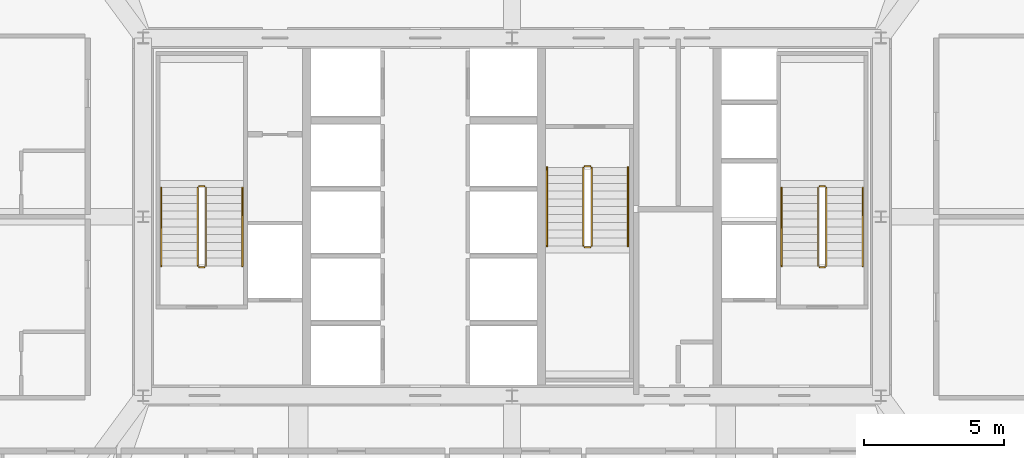
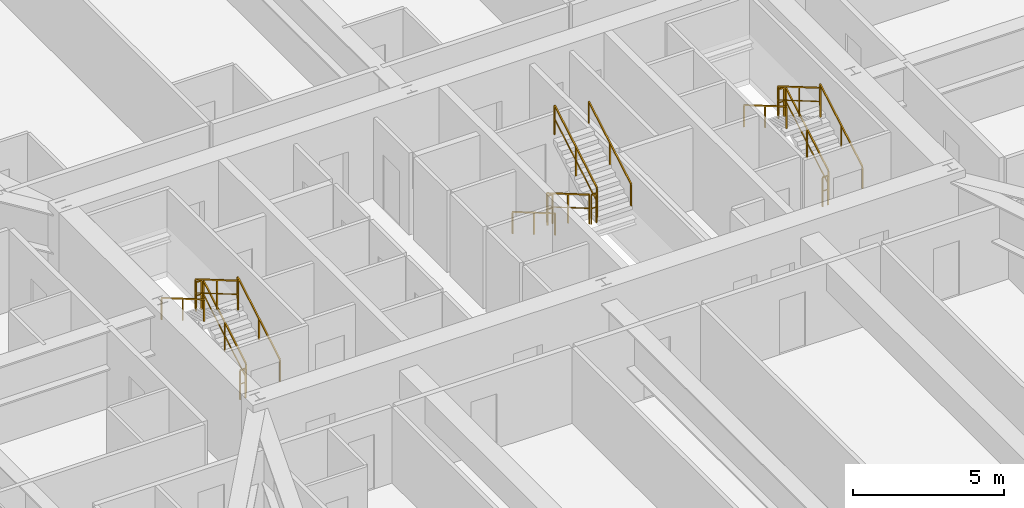
# One storey, part 45 of 45: 18 railings.
"""IFC4 building model written with IfcOpenShell, lengths in metres."""

from ifc_helpers import new_model, si_unit, direction, frame, origin, origin_2d, place, context, subcontext, project, spatial, rectangle, extrude, source, transform, mapped, material, layer, layer_set, type_object, element, save


model = new_model("IFC4")

# Units and contexts
model_context = context("Model", 3, precision=1e-05, world=origin(), true_north=direction((0.0, 1.0)))
body_context = subcontext(model_context, "Body", "Model", "MODEL_VIEW")
ifc_project = project(units=[si_unit("LENGTHUNIT", "METRE"), si_unit("AREAUNIT", "SQUARE_METRE"), si_unit("VOLUMEUNIT", "CUBIC_METRE"), si_unit("PLANEANGLEUNIT", "RADIAN"), si_unit("MASSUNIT", "GRAM", prefix="KILO"), si_unit("THERMODYNAMICTEMPERATUREUNIT", "KELVIN"), si_unit("POWERUNIT", "WATT")], contexts=[model_context])

# Site, building, storey
site_placement = place(None, origin())
site = spatial("IfcSite", under=ifc_project, at=site_placement, CompositionType="ELEMENT")
building_placement = place(site_placement, origin())
building = spatial("IfcBuilding", under=site, at=building_placement, Name="Yuzanri Waterfront Tower", CompositionType="ELEMENT")
storey_placement = place(building_placement, frame((0.0, 0.0, 163.199951171875)))
storey = spatial("IfcBuildingStorey", under=building, at=storey_placement, Name="L43", CompositionType="ELEMENT", Elevation=163.199951171875)

# Railings
ifc_material_1 = material(Name="Painted Galvanized Fire Steel", Category="steel")
ifc_layer_1 = layer(ifc_material_1, 0.06005859375)
ifc_layer_set_1 = layer_set([ifc_layer_1], Name="Painted Galvanized Fire Steel")
railing_type_1 = type_object("IfcRailingType", Name="Painted Steel Stairwell Guardrail 1120", PredefinedType="GUARDRAIL", material=ifc_layer_set_1)
shared_shape_1 = source(origin(), body_context, "Body", "SweptSolid", [
    extrude(rectangle(XDim=0.050048828125, YDim=0.050048828125, at=origin_2d()), frame((0.0, 0.0, 1.1748046875), z_axis=(-1.0, 0.0, 0.0), x_axis=(0.0, -1.0, 0.0)), (0.0, 0.0, 1.0), 0.199951171875),
    extrude(rectangle(XDim=0.035888671875, YDim=0.030029296875, at=origin_2d()), frame((0.0, 0.0, 0.6240234375), z_axis=(-1.0, 0.0, 0.0), x_axis=(0.0, -1.0, 0.0)), (0.0, 0.0, 1.0), 0.199951171875),
    extrude(rectangle(XDim=0.0458984375, YDim=0.0458984375, at=origin_2d()), origin(), (0.0, 0.0, 1.0), 1.14990234375),
    extrude(rectangle(XDim=0.0458984375, YDim=0.0458984375, at=origin_2d()), frame((-0.199951171875, 0.0, 0.0)), (0.0, 0.0, 1.0), 1.14990234375),
])
for number, where, name in (
    (1, (26.0, 26.889892578125, 1.800048828125), "L43 ST-01 stair guard 2"),
    (2, (26.0, 23.989990234375, 0.0), "L43 ST-01 stair guard 4"),
    (3, (48.199951171875, 26.889892578125, 1.800048828125), "L43 ST-02 stair guard 2"),
    (4, (48.199951171875, 23.989990234375, 0.0), "L43 ST-02 stair guard 4"),
):
    element("IfcRailing", number, at=place(storey_placement, frame(where)), inside=storey, type_object=railing_type_1, Name=name, PredefinedType="GUARDRAIL", context=body_context, shape_type="MappedRepresentation", body=[
        mapped(shared_shape_1, transform((0.0, 0.0, 0.0), scale=1.0)),
    ])
shared_shape_2 = source(origin(), body_context, "Body", "SweptSolid", [
    extrude(rectangle(XDim=0.050048828125, YDim=0.050048828125, at=origin_2d()), frame((0.0, 0.0, 1.1748046875), z_axis=(0.0, 0.863360870873, 0.504586966384), x_axis=(-1.0, 0.0, 0.0)), (0.0, 0.0, 1.0), 3.2431640625),
    extrude(rectangle(XDim=0.035888671875, YDim=0.030029296875, at=origin_2d()), frame((0.0, 0.0, 0.6240234375), z_axis=(0.0, 0.863360870873, 0.504586966384), x_axis=(-1.0, 0.0, 0.0)), (0.0, 0.0, 1.0), 3.2431640625),
    extrude(rectangle(XDim=0.0458984375, YDim=0.0458984375, at=origin_2d()), origin(), (0.0, 0.0, 1.0), 1.14990234375),
    extrude(rectangle(XDim=0.0458984375, YDim=0.0458984375, at=origin_2d()), frame((0.0, 1.39990234375, 0.818359375)), (0.0, 0.0, 1.0), 1.14990234375),
    extrude(rectangle(XDim=0.0458984375, YDim=0.0458984375, at=origin_2d()), frame((0.0, 2.800048828125, 1.636474609375)), (0.0, 0.0, 1.0), 1.14990234375),
])
for number, where, name in (
    (5, (26.050048828125, 24.0400390625, 0.16357421875), "L43 ST-01 stair guard 1"),
    (6, (48.25, 24.0400390625, 0.16357421875), "L43 ST-02 stair guard 1"),
    (7, (39.85009765625, 24.760009765625, 1.963623046875), "L43 ST-03 stair guard 3"),
):
    element("IfcRailing", number, at=place(storey_placement, frame(where)), inside=storey, type_object=railing_type_1, Name=name, PredefinedType="GUARDRAIL", context=body_context, shape_type="MappedRepresentation", body=[
        mapped(shared_shape_2, transform((0.0, 0.0, 0.0), scale=1.0)),
    ])
shared_shape_3 = source(origin(), body_context, "Body", "SweptSolid", [
    extrude(rectangle(XDim=0.050048828125, YDim=0.050048828125, at=origin_2d()), frame((0.0, 0.0, 1.1748046875), z_axis=(0.0, -0.863360870873, 0.504586966384), x_axis=(1.0, 0.0, 0.0)), (0.0, 0.0, 1.0), 3.2431640625),
    extrude(rectangle(XDim=0.035888671875, YDim=0.030029296875, at=origin_2d()), frame((0.0, 0.0, 0.6240234375), z_axis=(0.0, -0.863360870873, 0.504586966384), x_axis=(1.0, 0.0, 0.0)), (0.0, 0.0, 1.0), 3.2431640625),
    extrude(rectangle(XDim=0.0458984375, YDim=0.0458984375, at=origin_2d()), origin(), (0.0, 0.0, 1.0), 1.14990234375),
    extrude(rectangle(XDim=0.0458984375, YDim=0.0458984375, at=origin_2d()), frame((0.0, -1.39990234375, 0.818359375)), (0.0, 0.0, 1.0), 1.14990234375),
    extrude(rectangle(XDim=0.0458984375, YDim=0.0458984375, at=origin_2d()), frame((0.0, -2.800048828125, 1.636474609375)), (0.0, 0.0, 1.0), 1.14990234375),
])
for number, where, name in (
    (8, (25.75, 26.840087890625, 1.963623046875), "L43 ST-01 stair guard 3"),
    (9, (47.949951171875, 26.840087890625, 1.963623046875), "L43 ST-02 stair guard 3"),
    (10, (39.550048828125, 27.56005859375, 0.16357421875), "L43 ST-03 stair guard 1"),
):
    element("IfcRailing", number, at=place(storey_placement, frame(where)), inside=storey, type_object=railing_type_1, Name=name, PredefinedType="GUARDRAIL", context=body_context, shape_type="MappedRepresentation", body=[
        mapped(shared_shape_3, transform((0.0, 0.0, 0.0), scale=1.0)),
    ])
ifc_material_2 = material(Name="Anodized Architectural Bronze", Category="metal")
ifc_layer_2 = layer(ifc_material_2, 0.050048828125)
ifc_layer_set_2 = layer_set([ifc_layer_2], Name="Anodized Architectural Bronze")
railing_type_2 = type_object("IfcRailingType", Name="Brushed Bronze Stair Pitch Handrail 920", PredefinedType="HANDRAIL", material=ifc_layer_set_2)
shared_shape_4 = source(origin(), body_context, "Body", "SweptSolid", [
    extrude(rectangle(XDim=0.050048828125, YDim=0.050048828125, at=origin_2d()), frame((0.0, 0.0, 0.875), z_axis=(0.0, 0.863360870873, 0.504586966384), x_axis=(-1.0, 0.0, 0.0)), (0.0, 0.0, 1.0), 3.2431640625),
    extrude(rectangle(XDim=0.0458984375, YDim=0.0458984375, at=origin_2d()), origin(), (0.0, 0.0, 1.0), 0.849853515625),
    extrude(rectangle(XDim=0.0458984375, YDim=0.0458984375, at=origin_2d()), frame((0.0, 1.39990234375, 0.818359375)), (0.0, 0.0, 1.0), 0.849853515625),
    extrude(rectangle(XDim=0.0458984375, YDim=0.0458984375, at=origin_2d()), frame((0.0, 2.800048828125, 1.636474609375)), (0.0, 0.0, 1.0), 0.849853515625),
])
for number, where, name in (
    (11, (27.35009765625, 24.0400390625, 0.16357421875), "L43 ST-01 stair handrail 1"),
    (12, (49.550048828125, 24.0400390625, 0.16357421875), "L43 ST-02 stair handrail 1"),
    (13, (41.14990234375, 24.760009765625, 1.963623046875), "L43 ST-03 stair handrail 2"),
):
    element("IfcRailing", number, at=place(storey_placement, frame(where)), inside=storey, type_object=railing_type_2, Name=name, PredefinedType="HANDRAIL", context=body_context, shape_type="MappedRepresentation", body=[
        mapped(shared_shape_4, transform((0.0, 0.0, 0.0), scale=1.0)),
    ])
shared_shape_5 = source(origin(), body_context, "Body", "SweptSolid", [
    extrude(rectangle(XDim=0.050048828125, YDim=0.050048828125, at=origin_2d()), frame((0.0, 0.0, 0.875), z_axis=(0.0, -0.863360870873, 0.504586966384), x_axis=(1.0, 0.0, 0.0)), (0.0, 0.0, 1.0), 3.2431640625),
    extrude(rectangle(XDim=0.0458984375, YDim=0.0458984375, at=origin_2d()), origin(), (0.0, 0.0, 1.0), 0.849853515625),
    extrude(rectangle(XDim=0.0458984375, YDim=0.0458984375, at=origin_2d()), frame((0.0, -1.39990234375, 0.818359375)), (0.0, 0.0, 1.0), 0.849853515625),
    extrude(rectangle(XDim=0.0458984375, YDim=0.0458984375, at=origin_2d()), frame((0.0, -2.800048828125, 1.636474609375)), (0.0, 0.0, 1.0), 0.849853515625),
])
for number, where, name in (
    (14, (24.449951171875, 26.840087890625, 1.963623046875), "L43 ST-01 stair handrail 2"),
    (15, (46.64990234375, 26.840087890625, 1.963623046875), "L43 ST-02 stair handrail 2"),
    (16, (38.25, 27.56005859375, 0.16357421875), "L43 ST-03 stair handrail 1"),
):
    element("IfcRailing", number, at=place(storey_placement, frame(where)), inside=storey, type_object=railing_type_2, Name=name, PredefinedType="HANDRAIL", context=body_context, shape_type="MappedRepresentation", body=[
        mapped(shared_shape_5, transform((0.0, 0.0, 0.0), scale=1.0)),
    ])
shared_shape_6 = source(origin(), body_context, "Body", "SweptSolid", [
    extrude(rectangle(XDim=0.050048828125, YDim=0.050048828125, at=origin_2d()), frame((0.0, 0.0, 1.1748046875), z_axis=(1.0, 0.0, 0.0), x_axis=(0.0, 1.0, 0.0)), (0.0, 0.0, 1.0), 0.199951171875),
    extrude(rectangle(XDim=0.035888671875, YDim=0.030029296875, at=origin_2d()), frame((0.0, 0.0, 0.6240234375), z_axis=(1.0, 0.0, 0.0), x_axis=(0.0, 1.0, 0.0)), (0.0, 0.0, 1.0), 0.199951171875),
    extrude(rectangle(XDim=0.0458984375, YDim=0.0458984375, at=origin_2d()), origin(), (0.0, 0.0, 1.0), 1.14990234375),
    extrude(rectangle(XDim=0.0458984375, YDim=0.0458984375, at=origin_2d()), frame((0.199951171875, 0.0, 0.0)), (0.0, 0.0, 1.0), 1.14990234375),
])
for number, where, name in (
    (17, (39.60009765625, 24.7099609375, 1.800048828125), "L43 ST-03 stair guard 2"),
    (18, (39.60009765625, 27.610107421875, 0.0), "L43 ST-03 stair guard 4"),
):
    element("IfcRailing", number, at=place(storey_placement, frame(where)), inside=storey, type_object=railing_type_1, Name=name, PredefinedType="GUARDRAIL", context=body_context, shape_type="MappedRepresentation", body=[
        mapped(shared_shape_6, transform((0.0, 0.0, 0.0), scale=1.0)),
    ])

save(model, "model.ifc")
